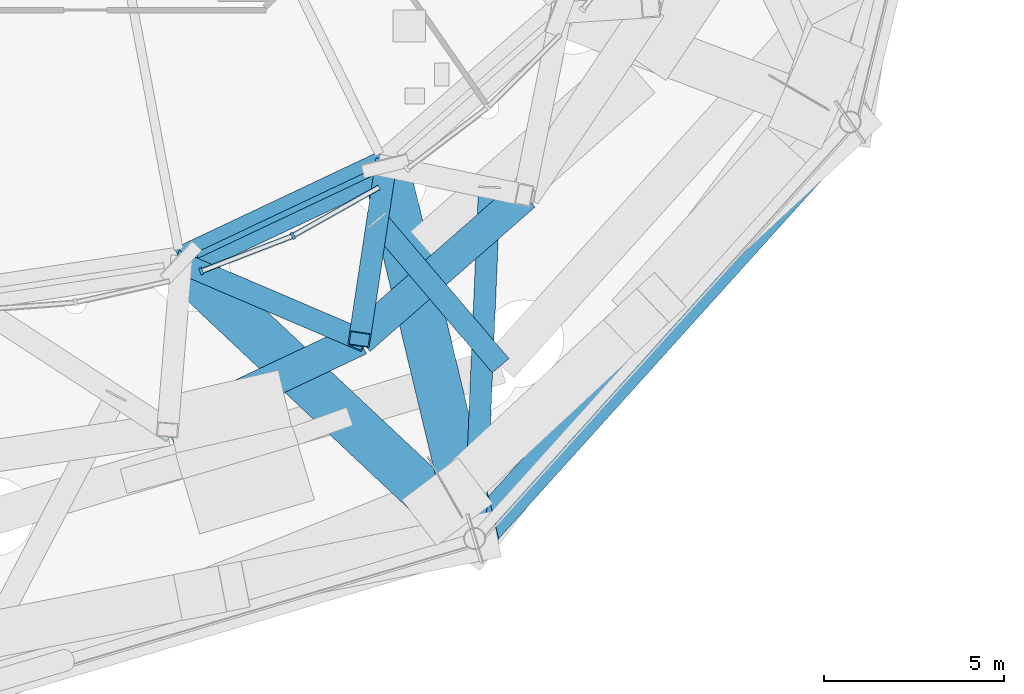
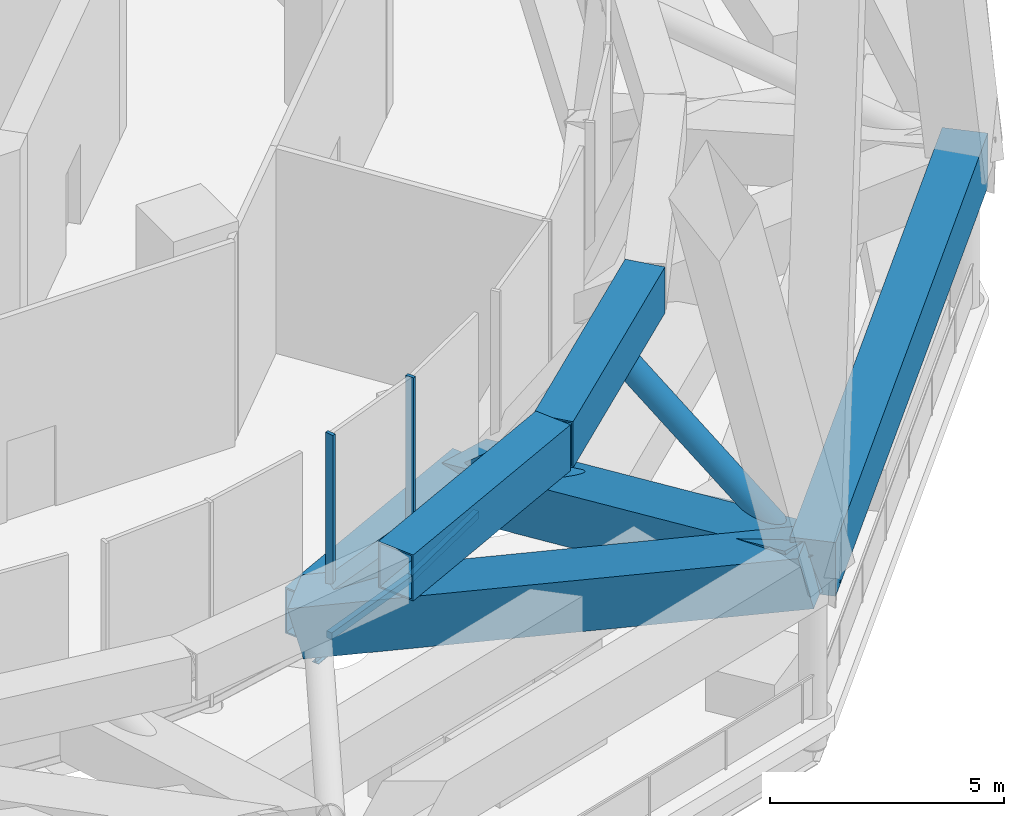
# One storey, part 9 of 48: 9 members, 6 beams, 2 elements without a shape of their own.
"""IFC4 building model written with IfcOpenShell, lengths in metres."""

import ifcopenshell
import ifcopenshell.guid

model = None  # the IFC model being written
_history = None  # IfcOwnerHistory: only IFC2X3 demands one
_inside = {}  # id of a spatial element -> (the spatial element, [elements in it])
_under = {}  # id of a project, library or spatial element -> (it, [spatial elements below it])
_declared = {}  # id of a project -> (the project, [libraries it declares])
_typed = {}  # id of a type object -> (the type object, [elements of that type])
_made_of = {}  # id of a material, layer set ... -> (it, [elements and type objects made of it])


def new_model(schema):
    """Start an empty IFC model of exactly this schema.

    Asked for "IFC4X3", IfcOpenShell would pick the latest addendum, in which some entities
    have other attributes; the version numbers below select the first issue.
    IFC2X3 requires an IfcOwnerHistory on every rooted entity: one is made here for all.
    """
    global model, _history
    if schema == "IFC4X3":
        model = ifcopenshell.file(schema_version=(4, 3, 0, 0))
    else:
        model = ifcopenshell.file(schema=schema)
    _inside.clear()
    _under.clear()
    _declared.clear()
    _typed.clear()
    _made_of.clear()
    _history = None
    if model.schema == "IFC2X3":
        org = make("IfcOrganization", Name="unknown")
        user = make(
            "IfcPersonAndOrganization",
            ThePerson=make("IfcPerson", FamilyName="unknown"),
            TheOrganization=org,
        )
        app = make(
            "IfcApplication",
            ApplicationDeveloper=org,
            Version="unknown",
            ApplicationFullName="unknown",
            ApplicationIdentifier="unknown",
        )
        _history = make(
            "IfcOwnerHistory",
            OwningUser=user,
            OwningApplication=app,
            ChangeAction="ADDED",
            CreationDate=0,
        )
    return model


def make(cls, **values):
    """One entity of the class cls with the attributes given. An attribute that is None is left unset."""
    return model.create_entity(
        cls, **{name: value for name, value in values.items() if value is not None}
    )


def rooted(cls, **values):
    """An entity with a GlobalId (a new one), such as an element, a storey or a relation."""
    return make(cls, GlobalId=ifcopenshell.guid.new(), OwnerHistory=_history, **values)


def si_unit(unit_type, name, prefix=None):
    """IfcSIUnit, for example si_unit("LENGTHUNIT", "METRE", prefix="MILLI")."""
    return make("IfcSIUnit", UnitType=unit_type, Prefix=prefix, Name=name)


def assignment(units):
    """IfcUnitAssignment: the units of a project."""
    return None if units is None else make("IfcUnitAssignment", Units=units)


def point(xyz):
    """IfcCartesianPoint."""
    return None if xyz is None else make("IfcCartesianPoint", Coordinates=xyz)


def direction(xyz):
    """IfcDirection."""
    return None if xyz is None else make("IfcDirection", DirectionRatios=xyz)


def frame(location, z_axis=None, x_axis=None):
    """IfcAxis2Placement3D, a coordinate frame: its origin and axes. An axis left out is left unset."""
    return make(
        "IfcAxis2Placement3D",
        Location=point(location),
        Axis=direction(z_axis),
        RefDirection=direction(x_axis),
    )


def frame_2d(location, x_axis=None):
    """IfcAxis2Placement2D, a coordinate frame in the plane: its origin and x axis."""
    return make(
        "IfcAxis2Placement2D", Location=point(location), RefDirection=direction(x_axis)
    )


def origin():
    """The frame at (0, 0, 0) with its axes left unset."""
    return frame((0.0, 0.0, 0.0))


def origin_2d():
    """The frame at (0, 0) in the plane with its x axis left unset."""
    return frame_2d((0.0, 0.0))


def place(relative_to, where):
    """IfcLocalPlacement: puts the frame where relative to a parent placement (None: the world)."""
    return make(
        "IfcLocalPlacement", PlacementRelTo=relative_to, RelativePlacement=where
    )


def context(
    kind, dimensions, precision=None, world=None, true_north=None, identifier=None
):
    """IfcGeometricRepresentationContext, for example the 3D "Model" context."""
    return make(
        "IfcGeometricRepresentationContext",
        ContextIdentifier=identifier,
        ContextType=kind,
        CoordinateSpaceDimension=dimensions,
        Precision=precision,
        WorldCoordinateSystem=world,
        TrueNorth=true_north,
    )


def subcontext(parent, identifier, kind, view, scale=None):
    """IfcGeometricRepresentationSubContext, for example "Body" below "Model"."""
    return make(
        "IfcGeometricRepresentationSubContext",
        ContextIdentifier=identifier,
        ContextType=kind,
        ParentContext=parent,
        TargetScale=scale,
        TargetView=view,
    )


def project(units=None, contexts=None):
    """IfcProject with its units and contexts."""
    return rooted(
        "IfcProject",
        Name="project",
        RepresentationContexts=contexts,
        UnitsInContext=assignment(units),
    )


def spatial(cls, under=None, at=None, **own):
    """A site, building, storey or space (cls), placed at a placement, below another one or the project."""
    s = rooted(cls, ObjectPlacement=at, **own)
    if under is not None:
        _under.setdefault(under.id(), (under, []))[1].append(s)
    return s


def profile(cls, at=None, kind="AREA", **sizes):
    """A parametric profile (cls). Its sizes go by their IFC names, for example OverallWidth=200.0."""
    return make(cls, ProfileType=kind, Position=at, **sizes)


def rectangle(**sizes):
    """IfcRectangleProfileDef."""
    return profile("IfcRectangleProfileDef", **sizes)


def hollow_rectangle(**sizes):
    """IfcRectangleHollowProfileDef."""
    return profile("IfcRectangleHollowProfileDef", **sizes)


def hollow_circle(**sizes):
    """IfcCircleHollowProfileDef."""
    return profile("IfcCircleHollowProfileDef", **sizes)


def i_section(**sizes):
    """IfcIShapeProfileDef."""
    return profile("IfcIShapeProfileDef", **sizes)


def extrude(swept, where, along, depth):
    """IfcExtrudedAreaSolid: the profile swept, set in the frame where, extruded along a direction by depth."""
    return make(
        "IfcExtrudedAreaSolid",
        SweptArea=swept,
        Position=where,
        ExtrudedDirection=direction(along),
        Depth=depth,
    )


def shape(context_of_items, identifier, shape_type, items):
    """IfcShapeRepresentation: the items that make up one representation, for example the "Body"."""
    return make(
        "IfcShapeRepresentation",
        ContextOfItems=context_of_items,
        RepresentationIdentifier=identifier,
        RepresentationType=shape_type,
        Items=items,
    )


def material(Name=None, Category=None):
    """IfcMaterial."""
    return make("IfcMaterial", Name=Name, Category=Category)


def layer(
    of_material, thickness, ventilated=None, Name=None, Category=None, Priority=None
):
    """IfcMaterialLayer: one layer of a wall or slab, of a material (None: an air gap)."""
    return make(
        "IfcMaterialLayer",
        Material=of_material,
        LayerThickness=thickness,
        IsVentilated=ventilated,
        Name=Name,
        Category=Category,
        Priority=Priority,
    )


def layer_set(layers, Name=None):
    """IfcMaterialLayerSet."""
    return make("IfcMaterialLayerSet", MaterialLayers=layers, LayerSetName=Name)


def material_profile(
    of_material, cross_section, Name=None, Category=None, Priority=None
):
    """IfcMaterialProfile: a cross section and its material."""
    return make(
        "IfcMaterialProfile",
        Name=Name,
        Material=of_material,
        Profile=cross_section,
        Priority=Priority,
        Category=Category,
    )


def profile_set(profiles, Name=None, composite=None):
    """IfcMaterialProfileSet."""
    return make(
        "IfcMaterialProfileSet",
        Name=Name,
        MaterialProfiles=profiles,
        CompositeProfile=composite,
    )


def made_of(thing, what):
    """Note that an element or type object is made of a material, layer set ...; save() writes the relation."""
    if what is not None:
        _made_of.setdefault(what.id(), (what, []))[1].append(thing)
    return thing


def type_object(cls, material=None, **own):
    """A type object (cls), such as IfcWallType, which elements share."""
    return made_of(rooted(cls, **own), material)


def element(
    cls,
    number,
    at=None,
    inside=None,
    cuts=None,
    type_object=None,
    material=None,
    context=None,
    identifier="Body",
    shape_type=None,
    held_by="IfcProductDefinitionShape",
    body=None,
    shapes=None,
    **own,
):
    """One element of the class cls, such as IfcWall. Its Tag is "e" and its number.

    at: its placement. inside: the storey or other place that contains it. cuts: it is an
    opening in that element (IfcRelVoidsElement). A single representation is given by context,
    identifier, shape_type and body (its items); several are given by shapes. held_by: the class
    of the entity that holds the representations. save() writes the other relations.
    """
    e = rooted(cls, Tag="e%d" % number, ObjectPlacement=at, **own)
    if body is not None:
        shapes = [shape(context, identifier, shape_type, body)]
    if shapes is not None:
        e.Representation = make(held_by, Representations=shapes)
    if inside is not None:
        _inside.setdefault(inside.id(), (inside, []))[1].append(e)
    if cuts is not None:
        rooted(
            "IfcRelVoidsElement", RelatingBuildingElement=cuts, RelatedOpeningElement=e
        )
    if type_object is not None:
        _typed.setdefault(type_object.id(), (type_object, []))[1].append(e)
    return made_of(e, material)


def aggregate(whole, parts):
    """IfcRelAggregates: a whole, such as a stair, and the parts it consists of."""
    return rooted("IfcRelAggregates", RelatingObject=whole, RelatedObjects=parts)


def save(model, path):
    """Write the relations noted so far, then the file.

    IfcRelAggregates (storeys below a building ...), IfcRelContainedInSpatialStructure (elements
    in a storey), IfcRelDefinesByType, IfcRelAssociatesMaterial and IfcRelDeclares: one each for
    every whole, place, type object, material and project.
    """
    for whole, parts in _under.values():
        aggregate(whole, parts)
    for where, things in _inside.values():
        rooted(
            "IfcRelContainedInSpatialStructure",
            RelatedElements=things,
            RelatingStructure=where,
        )
    for kind, things in _typed.values():
        rooted("IfcRelDefinesByType", RelatedObjects=things, RelatingType=kind)
    for what, things in _made_of.values():
        rooted("IfcRelAssociatesMaterial", RelatedObjects=things, RelatingMaterial=what)
    for by, libraries in _declared.values():
        rooted("IfcRelDeclares", RelatingContext=by, RelatedDefinitions=libraries)
    model.write(path)


model = new_model("IFC4")

# Units and contexts
model_context = context("Model", 3, precision=1e-05, world=origin(), true_north=direction((0.0, 1.0)))
body_context = subcontext(model_context, "Body", "Model", "MODEL_VIEW")
ifc_project = project(units=[si_unit("LENGTHUNIT", "METRE"), si_unit("AREAUNIT", "SQUARE_METRE"), si_unit("VOLUMEUNIT", "CUBIC_METRE"), si_unit("PLANEANGLEUNIT", "RADIAN"), si_unit("MASSUNIT", "GRAM", prefix="KILO")], contexts=[model_context])

# Site, building, storey
site_placement = place(None, origin())
site = spatial("IfcSite", under=ifc_project, at=site_placement, CompositionType="ELEMENT")
building_placement = place(site_placement, origin())
building = spatial("IfcBuilding", under=site, at=building_placement, Name="Nagisa Residences", CompositionType="ELEMENT")
storey_placement = place(building_placement, frame((0.0, 0.0, 252.89990234375)))
storey = spatial("IfcBuildingStorey", under=building, at=storey_placement, Name="L64", CompositionType="ELEMENT", Elevation=252.89990234375)

# Beams
ifc_material_1 = material(Name="Steel ASTM A572 Gr 50", Category="steel")
ifc_material_profile_1 = material_profile(ifc_material_1, hollow_rectangle(XDim=0.89990234375, YDim=1.199951171875, WallThickness=0.0400390625, at=origin_2d()), Name="BX 900x1200x40")
ifc_profile_set_1 = profile_set([ifc_material_profile_1], Name="Steel ASTM A572 Gr 50")
beam_type_1 = type_object("IfcBeamType", Name="Belt chord 5 BX 900x1200x40", PredefinedType="BEAM", material=ifc_profile_set_1)
beam_1_placement = place(storey_placement, frame((4.30029296875, -22.85595703125, 0.60009765625), z_axis=(0.904139086666, 0.427238237946, 0.0), x_axis=(-0.427238237946, 0.904139086666, 0.0)))
element("IfcBeam", 1, at=beam_1_placement, inside=storey, type_object=beam_type_1, Name="beam:L64:bt5b20", PredefinedType="BEAM", context=body_context, shape_type="SweptSolid", body=[
    extrude(hollow_rectangle(XDim=0.89990234375, YDim=1.199951171875, WallThickness=0.0400390625, at=origin_2d()), origin(), (0.0, 0.0, 1.0), 6.28759765625),
])
beam_2_placement = place(storey_placement, frame((3.925048828125, -27.49755859375, 4.739990234375), z_axis=(0.904104817547, 0.427310752134, 0.0), x_axis=(-0.427310752134, 0.904104817547, 0.0)))
element("IfcBeam", 2, at=beam_2_placement, inside=storey, type_object=beam_type_1, Name="beam:L64:bt5t20", PredefinedType="BEAM", context=body_context, shape_type="SweptSolid", body=[
    extrude(hollow_rectangle(XDim=0.89990234375, YDim=1.199951171875, WallThickness=0.0400390625, at=origin_2d()), origin(), (0.0, 0.0, 1.0), 5.90087890625),
])
beam_3_placement = place(storey_placement, frame((9.260009765625, -24.97607421875, 4.739990234375), z_axis=(0.752385412669, 0.658723151865, 0.0), x_axis=(-0.658723151865, 0.752385412669, 0.0)))
element("IfcBeam", 3, at=beam_3_placement, inside=storey, type_object=beam_type_1, Name="beam:L64:bt5t21", PredefinedType="BEAM", context=body_context, shape_type="SweptSolid", body=[
    extrude(hollow_rectangle(XDim=0.89990234375, YDim=1.199951171875, WallThickness=0.0400390625, at=origin_2d()), origin(), (0.0, 0.0, 1.0), 6.089111328125),
])
ifc_material_2 = material(Name="Steel ASTM A572 Gr 50", Category="steel")
ifc_material_profile_2 = material_profile(ifc_material_2, hollow_rectangle(XDim=0.60009765625, YDim=0.60009765625, WallThickness=0.034912109375, at=origin_2d()), Name="BX 600x600x35")
ifc_profile_set_2 = profile_set([ifc_material_profile_2], Name="Steel ASTM A572 Gr 50")
beam_type_2 = type_object("IfcBeamType", Name="Belt diagonal 5 BX 600x600x35", PredefinedType="BEAM", material=ifc_profile_set_2)
beam_4_placement = place(storey_placement, frame((4.30029296875, -22.85595703125, 0.60009765625), z_axis=(0.729430078739, -0.311807570946, 0.608857782189), x_axis=(0.393061476553, 0.9195121944, 0.0)))
element("IfcBeam", 4, at=beam_4_placement, inside=storey, type_object=beam_type_2, Name="beam:L64:bt5db20", PredefinedType="BEAM", context=body_context, shape_type="SweptSolid", body=[
    extrude(hollow_rectangle(XDim=0.60009765625, YDim=0.60009765625, WallThickness=0.034912109375, at=origin_2d()), origin(), (0.0, 0.0, 1.0), 6.799560546875),
])
beam_5_placement = place(storey_placement, frame((9.985107421875, -20.169677734375, 0.60009765625), z_axis=(-0.113565875766, -0.752784981886, 0.648396146586), x_axis=(0.988811111287, -0.149173007595, 0.0)))
element("IfcBeam", 5, at=beam_5_placement, inside=storey, type_object=beam_type_2, Name="beam:L64:bt5da21", PredefinedType="BEAM", context=body_context, shape_type="SweptSolid", body=[
    extrude(hollow_rectangle(XDim=0.60009765625, YDim=0.60009765625, WallThickness=0.034912109375, at=origin_2d()), origin(), (0.0, 0.0, 1.0), 6.384765625),
])

# Curtain wall, member
ifc_material_3 = material(Name="Aluminium curtain wall system", Category="aluminium")
ifc_layer = layer(ifc_material_3, 0.159912109375)
ifc_layer_set = layer_set([ifc_layer], Name="CW2 CURTAIN WALL")
curtain_wall_type = type_object("IfcCurtainWallType", Name="CW2 CURTAIN WALL", PredefinedType="NOTDEFINED", material=ifc_layer_set)
curtain_wall_1_placement = place(storey_placement, origin())
curtain_wall_1 = element("IfcCurtainWall", 6, at=curtain_wall_1_placement, inside=storey, type_object=curtain_wall_type, Name="cw:CW2:L64:38", PredefinedType="NOTDEFINED")
ifc_material_4 = material(Name="Aluminium", Category="aluminium")
ifc_material_profile_3 = material_profile(ifc_material_4, rectangle(XDim=0.199951171875, YDim=0.080078125, at=origin_2d()), Name="CW2 MULLION 200x80")
ifc_profile_set_3 = profile_set([ifc_material_profile_3], Name="Aluminium")
member_type_1 = type_object("IfcMemberType", Name="CW2 MULLION 200x80", PredefinedType="MULLION", material=ifc_profile_set_3)
member_1_placement = place(storey_placement, frame((4.858154296875, -23.087890625, 0.0), z_axis=(0.0, 0.0, 1.0), x_axis=(-0.360327770268, 0.932825759707, 0.0)))
member_1 = element("IfcMember", 7, at=member_1_placement, type_object=member_type_1, Name="CW2 mullion", PredefinedType="MULLION", context=body_context, shape_type="SweptSolid", body=[
    extrude(rectangle(XDim=0.199951171875, YDim=0.080078125, at=origin_2d()), origin(), (0.0, 0.0, 1.0), 5.340087890625),
])

curtain_wall_2_placement = place(storey_placement, origin())
curtain_wall_2 = element("IfcCurtainWall", 8, at=curtain_wall_2_placement, inside=storey, type_object=curtain_wall_type, Name="cw:CW2:L64:39", PredefinedType="NOTDEFINED")
member_2_placement = place(storey_placement, frame((7.406982421875, -22.09814453125, 0.0), z_axis=(0.0, 0.0, 1.0), x_axis=(-0.489376918501, 0.872072377523, 0.0)))
member_2 = element("IfcMember", 9, at=member_2_placement, type_object=member_type_1, Name="CW2 mullion", PredefinedType="MULLION", context=body_context, shape_type="SweptSolid", body=[
    extrude(rectangle(XDim=0.199951171875, YDim=0.080078125, at=origin_2d()), origin(), (0.0, 0.0, 1.0), 5.340087890625),
])

# Member
ifc_material_5 = material(Name="Aluminium", Category="aluminium")
ifc_material_profile_4 = material_profile(ifc_material_5, rectangle(XDim=0.139892578125, YDim=0.179931640625, at=origin_2d()), Name="CW2 TRANSOM 140x180")
ifc_profile_set_4 = profile_set([ifc_material_profile_4], Name="Aluminium")
member_type_2 = type_object("IfcMemberType", Name="CW2 TRANSOM 140x180", PredefinedType="USERDEFINED", material=ifc_profile_set_4)
member_3_placement = place(storey_placement, frame((4.82080078125, -23.102294921875, 0.090087890625), z_axis=(0.932819870149, 0.360343016938, 0.0), x_axis=(-0.360343016938, 0.932819870149, 0.0)))
member_3 = element("IfcMember", 10, at=member_3_placement, type_object=member_type_2, Name="CW2 transom", ObjectType="TRANSOM", PredefinedType="USERDEFINED", context=body_context, shape_type="SweptSolid", body=[
    extrude(rectangle(XDim=0.139892578125, YDim=0.179931640625, at=origin_2d()), origin(), (0.0, 0.0, 1.0), 2.74609375),
])

aggregate(curtain_wall_1, [member_1, member_3])

member_4_placement = place(storey_placement, frame((7.3720703125, -22.11767578125, 0.090087890625), z_axis=(0.872059187854, 0.489400421821, 0.0), x_axis=(-0.489400421821, 0.872059187854, 0.0)))
member_4 = element("IfcMember", 11, at=member_4_placement, type_object=member_type_2, Name="CW2 transom", ObjectType="TRANSOM", PredefinedType="USERDEFINED", context=body_context, shape_type="SweptSolid", body=[
    extrude(rectangle(XDim=0.139892578125, YDim=0.179931640625, at=origin_2d()), origin(), (0.0, 0.0, 1.0), 2.7880859375),
])

aggregate(curtain_wall_2, [member_2, member_4])

# Members
ifc_material_6 = material(Name="Concrete C80", Category="concrete")
ifc_material_profile_5 = material_profile(ifc_material_6, rectangle(XDim=1.300048828125, YDim=1.300048828125, at=origin_2d()), Name="C80 1300x1300")
ifc_profile_set_5 = profile_set([ifc_material_profile_5], Name="Concrete C80")
member_type_3 = type_object("IfcMemberType", Name="Cage bracket 6 C80 1300x1300", PredefinedType="BRACE", material=ifc_profile_set_5)
member_5_placement = place(storey_placement, frame((12.4599609375, -30.518798828125, 3.7001953125), z_axis=(-0.223295476639, 0.933757053837, -0.279708588573), x_axis=(-0.972577537793, -0.232578874749, 0.0)))
element("IfcMember", 12, at=member_5_placement, inside=storey, type_object=member_type_3, Name="mem:L64:cg5ob07", PredefinedType="BRACE", context=body_context, shape_type="SweptSolid", body=[
    extrude(rectangle(XDim=1.300048828125, YDim=1.300048828125, at=origin_2d()), origin(), (0.0, 0.0, 1.0), 11.083251953125),
])
member_6_placement = place(storey_placement, frame((12.4599609375, -30.518798828125, 3.7001953125), z_axis=(-0.702506790342, 0.659732530323, -0.2669029748), x_axis=(-0.684566263154, -0.728950637115, 0.0)))
element("IfcMember", 13, at=member_6_placement, inside=storey, type_object=member_type_3, Name="mem:L64:cg5ob08", PredefinedType="BRACE", context=body_context, shape_type="SweptSolid", body=[
    extrude(rectangle(XDim=1.300048828125, YDim=1.300048828125, at=origin_2d()), origin(), (0.0, 0.0, 1.0), 11.614990234375),
])
ifc_material_7 = material(Name="Concrete C80", Category="concrete")
ifc_material_profile_6 = material_profile(ifc_material_7, rectangle(XDim=1.0, YDim=1.39990234375, at=origin_2d()), Name="C80 1000x1400")
ifc_profile_set_6 = profile_set([ifc_material_profile_6], Name="Concrete C80")
member_type_4 = type_object("IfcMemberType", Name="Cage ring 6 C80 1000x1400", PredefinedType="CHORD", material=ifc_profile_set_6)
member_7_placement = place(storey_placement, frame((12.4599609375, -30.518798828125, 3.7001953125), z_axis=(0.66953205413, 0.742783163846, 0.0), x_axis=(-0.742783163846, 0.66953205413, 0.0)))
element("IfcMember", 14, at=member_7_placement, inside=storey, type_object=member_type_4, Name="beam:L64:cg6r011", PredefinedType="CHORD", context=body_context, shape_type="SweptSolid", body=[
    extrude(rectangle(XDim=1.0, YDim=1.39990234375, at=origin_2d()), origin(), (0.0, 0.0, 1.0), 15.591552734375),
])
ifc_material_8 = material(Name="Steel ASTM A572 Gr 65", Category="steel")
ifc_material_profile_7 = material_profile(ifc_material_8, hollow_circle(Radius=0.304931640625, WallThickness=0.02490234375, at=origin_2d()), Name="CHS 610x25")
ifc_profile_set_7 = profile_set([ifc_material_profile_7], Name="Steel ASTM A572 Gr 65")
member_type_5 = type_object("IfcMemberType", Name="Cage strut CHS 610x25", PredefinedType="STRUT", material=ifc_profile_set_7)
member_8_placement = place(storey_placement, frame((13.18505859375, -25.71240234375, 1.900146484375), z_axis=(-0.647572102419, 0.762004181201, 0.0), x_axis=(-0.762004181201, -0.647572102419, 0.0)))
element("IfcMember", 15, at=member_8_placement, inside=storey, type_object=member_type_5, Name="mem:L64:bt5st5a11", PredefinedType="STRUT", context=body_context, shape_type="SweptSolid", body=[
    extrude(hollow_circle(Radius=0.304931640625, WallThickness=0.02490234375, at=origin_2d()), origin(), (0.0, 0.0, 1.0), 5.293212890625),
])
member_9_placement = place(storey_placement, frame((12.4599609375, -30.518798828125, 3.7001953125), z_axis=(0.042265078115, 0.999106432354, 0.0), x_axis=(-0.999106432354, 0.042265078115, 0.0)))
element("IfcMember", 16, at=member_9_placement, inside=storey, type_object=member_type_5, Name="mem:L64:bt5st6b11", PredefinedType="STRUT", context=body_context, shape_type="SweptSolid", body=[
    extrude(hollow_circle(Radius=0.304931640625, WallThickness=0.02490234375, at=origin_2d()), origin(), (0.0, 0.0, 1.0), 9.76220703125),
])

# Beam
ifc_material_9 = material(Name="Steel ASTM A572 Gr 50", Category="steel")
ifc_material_profile_8 = material_profile(ifc_material_9, i_section(OverallWidth=0.166015625, OverallDepth=0.534912109375, WebThickness=0.01025390625, FlangeThickness=0.0166015625, at=origin_2d()), Name="W530x85")
ifc_profile_set_8 = profile_set([ifc_material_profile_8], Name="Steel ASTM A572 Gr 50")
beam_type_3 = type_object("IfcBeamType", Name="Perimeter ring beam W530x85", PredefinedType="BEAM", material=ifc_profile_set_8)
beam_6_placement = place(storey_placement, frame((4.7392578125, -22.648681640625, -0.617431640625), z_axis=(0.904133867308, 0.42724928319, 0.0), x_axis=(-0.42724928319, 0.904133867308, 0.0)))
element("IfcBeam", 17, at=beam_6_placement, inside=storey, type_object=beam_type_3, Name="beam:L64:pb20", PredefinedType="BEAM", context=body_context, shape_type="SweptSolid", body=[
    extrude(i_section(OverallWidth=0.166015625, OverallDepth=0.534912109375, WebThickness=0.01025390625, FlangeThickness=0.0166015625, at=origin_2d()), origin(), (0.0, 0.0, 1.0), 5.317138671875),
])

save(model, "model.ifc")
